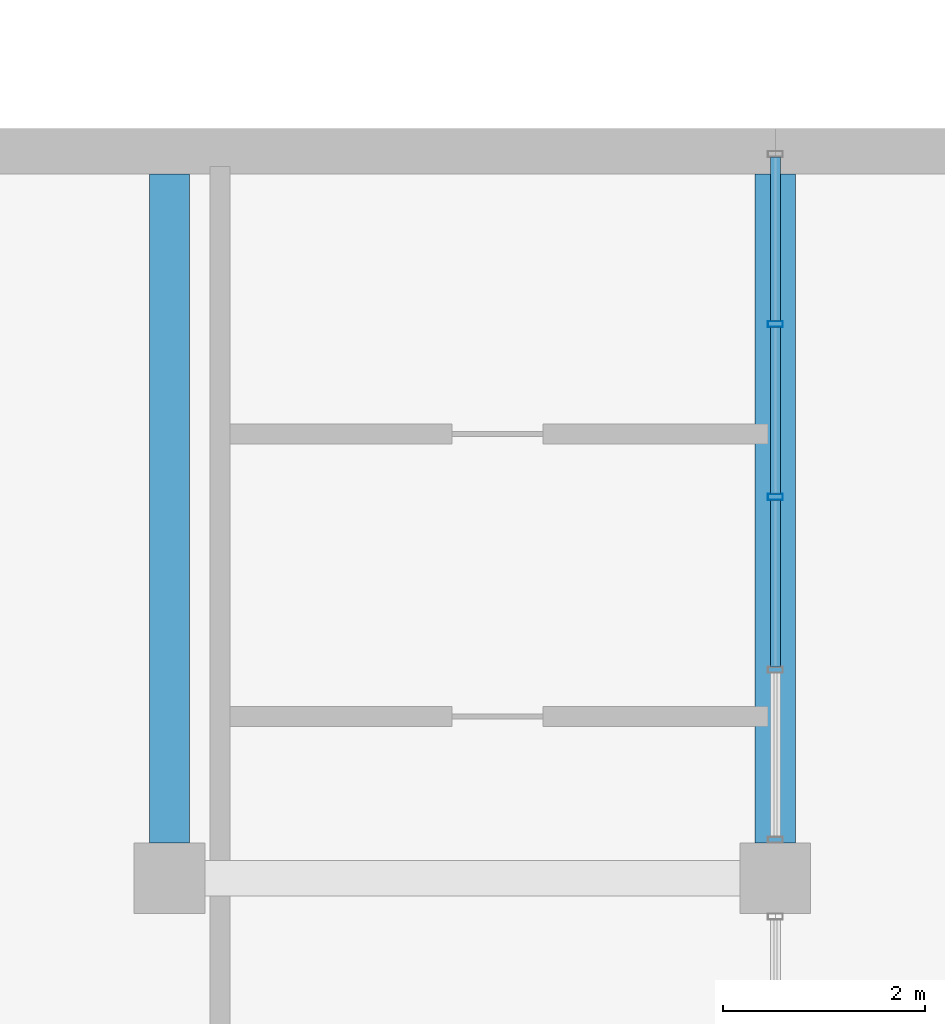
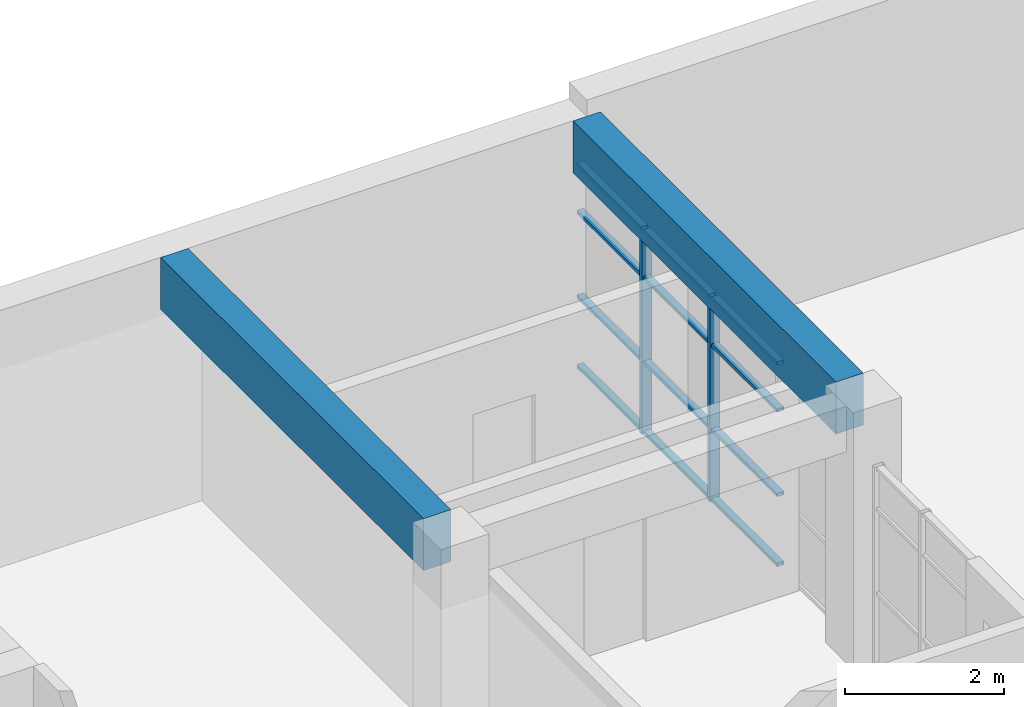
# One storey, part 37 of 103: 14 members, 2 beams, 1 element without a shape of its own.
"""IFC4 building model written with IfcOpenShell, lengths in metres."""

from ifc_helpers import new_model, si_unit, direction, frame, origin, origin_2d, place, context, subcontext, project, spatial, rectangle, hollow_rectangle, extrude, material, material_profile, profile_set, type_object, element, aggregate, save


model = new_model("IFC4")

# Units and contexts
model_context = context("Model", 3, precision=1e-05, world=origin(), true_north=direction((0.0, 1.0)))
body_context = subcontext(model_context, "Body", "Model", "MODEL_VIEW")
ifc_project = project(units=[si_unit("LENGTHUNIT", "METRE"), si_unit("AREAUNIT", "SQUARE_METRE"), si_unit("VOLUMEUNIT", "CUBIC_METRE"), si_unit("PLANEANGLEUNIT", "RADIAN"), si_unit("MASSUNIT", "GRAM", prefix="KILO")], contexts=[model_context])

# Site, building, storey
site_placement = place(None, origin())
site = spatial("IfcSite", under=ifc_project, at=site_placement, CompositionType="ELEMENT")
building_placement = place(site_placement, origin())
building = spatial("IfcBuilding", under=site, at=building_placement, Name="Laocheng Heights Fire and Rescue Headquarters", CompositionType="ELEMENT")
storey_placement = place(building_placement, frame((0.0, 0.0, 4.199951171875)))
storey = spatial("IfcBuildingStorey", under=building, at=storey_placement, Name="L01", CompositionType="ELEMENT", Elevation=4.199951171875)

# Curtain wall, members
ifc_material_1 = material(Name="Dark anodised aluminium unitised curtain wall, low-e double glazing", Category="aluminium")
curtain_wall_type = type_object("IfcCurtainWallType", Name="CW 6850 x 3150 CREW COURT GLAZING", PredefinedType="NOTDEFINED", material=ifc_material_1)
curtain_wall_placement = place(storey_placement, origin())
curtain_wall = element("IfcCurtainWall", 1, at=curtain_wall_placement, inside=storey, type_object=curtain_wall_type, Name="X8-W CREW EAST L01", PredefinedType="NOTDEFINED")
ifc_material_2 = material(Name="Dark anodised aluminium 6063-T5 extrusion", Category="aluminium")
ifc_material_profile_1 = material_profile(ifc_material_2, hollow_rectangle(XDim=0.14990234375, YDim=0.06005859375, WallThickness=0.0029296875, at=origin_2d()), Name="AL MULLION 150x60x3 CREW COURT GLAZING")
ifc_profile_set_1 = profile_set([ifc_material_profile_1], Name="Dark anodised aluminium 6063-T5 extrusion")
member_type_1 = type_object("IfcMemberType", Name="AL MULLION 150x60x3 CREW COURT GLAZING", PredefinedType="MULLION", material=ifc_profile_set_1)
member_1_placement = place(storey_placement, frame((108.0, 54.175048828125, 0.0), z_axis=(0.0, 0.0, 1.0), x_axis=(-1.0, 0.0, 0.0)))
member_1 = element("IfcMember", 2, at=member_1_placement, type_object=member_type_1, Name="X8-W mullion 3", PredefinedType="MULLION", context=body_context, shape_type="SweptSolid", body=[
    extrude(hollow_rectangle(XDim=0.14990234375, YDim=0.06005859375, WallThickness=0.0029296875, at=origin_2d()), origin(), (0.0, 0.0, 1.0), 3.150146484375),
])
member_2_placement = place(storey_placement, frame((108.0, 55.887451171875, 0.0), z_axis=(0.0, 0.0, 1.0), x_axis=(-1.0, 0.0, 0.0)))
member_2 = element("IfcMember", 3, at=member_2_placement, type_object=member_type_1, Name="X8-W mullion 4", PredefinedType="MULLION", context=body_context, shape_type="SweptSolid", body=[
    extrude(hollow_rectangle(XDim=0.14990234375, YDim=0.06005859375, WallThickness=0.0029296875, at=origin_2d()), origin(), (0.0, 0.0, 1.0), 3.150146484375),
])
ifc_material_3 = material(Name="Dark anodised aluminium 6063-T5 extrusion", Category="aluminium")
ifc_material_profile_2 = material_profile(ifc_material_3, hollow_rectangle(XDim=0.10009765625, YDim=0.050048828125, WallThickness=0.0029296875, at=origin_2d()), Name="AL TRANSOM 100x50x3 CREW COURT GLAZING")
ifc_profile_set_2 = profile_set([ifc_material_profile_2], Name="Dark anodised aluminium 6063-T5 extrusion")
member_type_2 = type_object("IfcMemberType", Name="AL TRANSOM 100x50x3 CREW COURT GLAZING", PredefinedType="USERDEFINED", material=ifc_profile_set_2)
member_3_placement = place(storey_placement, frame((108.0, 52.492431640625, 0.025146484375), z_axis=(0.0, 1.0, 0.0), x_axis=(-1.0, 0.0, 0.0)))
member_3 = element("IfcMember", 4, at=member_3_placement, type_object=member_type_2, Name="X8-W transom 2.1", ObjectType="TRANSOM", PredefinedType="USERDEFINED", context=body_context, shape_type="SweptSolid", body=[
    extrude(hollow_rectangle(XDim=0.10009765625, YDim=0.050048828125, WallThickness=0.0029296875, at=origin_2d()), origin(), (0.0, 0.0, 1.0), 1.652587890625),
])
member_4_placement = place(storey_placement, frame((108.0, 52.492431640625, 1.10009765625), z_axis=(0.0, 1.0, 0.0), x_axis=(-1.0, 0.0, 0.0)))
member_4 = element("IfcMember", 5, at=member_4_placement, type_object=member_type_2, Name="X8-W transom 2.2", ObjectType="TRANSOM", PredefinedType="USERDEFINED", context=body_context, shape_type="SweptSolid", body=[
    extrude(hollow_rectangle(XDim=0.10009765625, YDim=0.050048828125, WallThickness=0.0029296875, at=origin_2d()), origin(), (0.0, 0.0, 1.0), 1.652587890625),
])
member_5_placement = place(storey_placement, frame((108.0, 52.492431640625, 2.400146484375), z_axis=(0.0, 1.0, 0.0), x_axis=(-1.0, 0.0, 0.0)))
member_5 = element("IfcMember", 6, at=member_5_placement, type_object=member_type_2, Name="X8-W transom 2.3", ObjectType="TRANSOM", PredefinedType="USERDEFINED", context=body_context, shape_type="SweptSolid", body=[
    extrude(hollow_rectangle(XDim=0.10009765625, YDim=0.050048828125, WallThickness=0.0029296875, at=origin_2d()), origin(), (0.0, 0.0, 1.0), 1.652587890625),
])
member_6_placement = place(storey_placement, frame((108.0, 52.492431640625, 3.125), z_axis=(0.0, 1.0, 0.0), x_axis=(-1.0, 0.0, 0.0)))
member_6 = element("IfcMember", 7, at=member_6_placement, type_object=member_type_2, Name="X8-W transom 2.4", ObjectType="TRANSOM", PredefinedType="USERDEFINED", context=body_context, shape_type="SweptSolid", body=[
    extrude(hollow_rectangle(XDim=0.10009765625, YDim=0.050048828125, WallThickness=0.0029296875, at=origin_2d()), origin(), (0.0, 0.0, 1.0), 1.652587890625),
])
member_7_placement = place(storey_placement, frame((108.0, 54.205078125, 0.025146484375), z_axis=(0.0, 1.0, 0.0), x_axis=(-1.0, 0.0, 0.0)))
member_7 = element("IfcMember", 8, at=member_7_placement, type_object=member_type_2, Name="X8-W transom 3.1", ObjectType="TRANSOM", PredefinedType="USERDEFINED", context=body_context, shape_type="SweptSolid", body=[
    extrude(hollow_rectangle(XDim=0.10009765625, YDim=0.050048828125, WallThickness=0.0029296875, at=origin_2d()), origin(), (0.0, 0.0, 1.0), 1.65234375),
])
member_8_placement = place(storey_placement, frame((108.0, 54.205078125, 1.10009765625), z_axis=(0.0, 1.0, 0.0), x_axis=(-1.0, 0.0, 0.0)))
member_8 = element("IfcMember", 9, at=member_8_placement, type_object=member_type_2, Name="X8-W transom 3.2", ObjectType="TRANSOM", PredefinedType="USERDEFINED", context=body_context, shape_type="SweptSolid", body=[
    extrude(hollow_rectangle(XDim=0.10009765625, YDim=0.050048828125, WallThickness=0.0029296875, at=origin_2d()), origin(), (0.0, 0.0, 1.0), 1.65234375),
])
member_9_placement = place(storey_placement, frame((108.0, 54.205078125, 2.400146484375), z_axis=(0.0, 1.0, 0.0), x_axis=(-1.0, 0.0, 0.0)))
member_9 = element("IfcMember", 10, at=member_9_placement, type_object=member_type_2, Name="X8-W transom 3.3", ObjectType="TRANSOM", PredefinedType="USERDEFINED", context=body_context, shape_type="SweptSolid", body=[
    extrude(hollow_rectangle(XDim=0.10009765625, YDim=0.050048828125, WallThickness=0.0029296875, at=origin_2d()), origin(), (0.0, 0.0, 1.0), 1.65234375),
])
member_10_placement = place(storey_placement, frame((108.0, 54.205078125, 3.125), z_axis=(0.0, 1.0, 0.0), x_axis=(-1.0, 0.0, 0.0)))
member_10 = element("IfcMember", 11, at=member_10_placement, type_object=member_type_2, Name="X8-W transom 3.4", ObjectType="TRANSOM", PredefinedType="USERDEFINED", context=body_context, shape_type="SweptSolid", body=[
    extrude(hollow_rectangle(XDim=0.10009765625, YDim=0.050048828125, WallThickness=0.0029296875, at=origin_2d()), origin(), (0.0, 0.0, 1.0), 1.65234375),
])
member_11_placement = place(storey_placement, frame((108.0, 55.91748046875, 0.025146484375), z_axis=(0.0, 1.0, 0.0), x_axis=(-1.0, 0.0, 0.0)))
member_11 = element("IfcMember", 12, at=member_11_placement, type_object=member_type_2, Name="X8-W transom 4.1", ObjectType="TRANSOM", PredefinedType="USERDEFINED", context=body_context, shape_type="SweptSolid", body=[
    extrude(hollow_rectangle(XDim=0.10009765625, YDim=0.050048828125, WallThickness=0.0029296875, at=origin_2d()), origin(), (0.0, 0.0, 1.0), 1.62255859375),
])
member_12_placement = place(storey_placement, frame((108.0, 55.91748046875, 1.10009765625), z_axis=(0.0, 1.0, 0.0), x_axis=(-1.0, 0.0, 0.0)))
member_12 = element("IfcMember", 13, at=member_12_placement, type_object=member_type_2, Name="X8-W transom 4.2", ObjectType="TRANSOM", PredefinedType="USERDEFINED", context=body_context, shape_type="SweptSolid", body=[
    extrude(hollow_rectangle(XDim=0.10009765625, YDim=0.050048828125, WallThickness=0.0029296875, at=origin_2d()), origin(), (0.0, 0.0, 1.0), 1.62255859375),
])
member_13_placement = place(storey_placement, frame((108.0, 55.91748046875, 2.400146484375), z_axis=(0.0, 1.0, 0.0), x_axis=(-1.0, 0.0, 0.0)))
member_13 = element("IfcMember", 14, at=member_13_placement, type_object=member_type_2, Name="X8-W transom 4.3", ObjectType="TRANSOM", PredefinedType="USERDEFINED", context=body_context, shape_type="SweptSolid", body=[
    extrude(hollow_rectangle(XDim=0.10009765625, YDim=0.050048828125, WallThickness=0.0029296875, at=origin_2d()), origin(), (0.0, 0.0, 1.0), 1.62255859375),
])
member_14_placement = place(storey_placement, frame((108.0, 55.91748046875, 3.125), z_axis=(0.0, 1.0, 0.0), x_axis=(-1.0, 0.0, 0.0)))
member_14 = element("IfcMember", 15, at=member_14_placement, type_object=member_type_2, Name="X8-W transom 4.4", ObjectType="TRANSOM", PredefinedType="USERDEFINED", context=body_context, shape_type="SweptSolid", body=[
    extrude(hollow_rectangle(XDim=0.10009765625, YDim=0.050048828125, WallThickness=0.0029296875, at=origin_2d()), origin(), (0.0, 0.0, 1.0), 1.62255859375),
])
aggregate(curtain_wall, [member_1, member_2, member_3, member_4, member_5, member_6, member_7, member_8, member_9, member_10, member_11, member_12, member_13, member_14])

# Beams
ifc_material_4 = material(Name="Concrete C40", Category="concrete")
ifc_material_profile_3 = material_profile(ifc_material_4, rectangle(XDim=0.39990234375, YDim=0.800048828125, at=origin_2d()), Name="RC BEAM 400x800 CREW")
ifc_profile_set_3 = profile_set([ifc_material_profile_3], Name="Concrete C40")
beam_type = type_object("IfcBeamType", Name="RC BEAM 400x800 CREW", PredefinedType="BEAM", material=ifc_profile_set_3)
for number, where, z_axis, x_axis, name in (
    (16, (102.0, 50.75, 3.550048828125), (0.0, 1.0, 0.0), (-1.0, 0.0, 0.0), "Crew beam L01"),
    (17, (108.0, 50.75, 3.550048828125), (0.0, 1.0, 0.0), (-1.0, 0.0, 0.0), "Crew beam L01"),
):
    element("IfcBeam", number, at=place(storey_placement, frame(where, z_axis=z_axis, x_axis=x_axis)), inside=storey, type_object=beam_type, Name=name, PredefinedType="BEAM", context=body_context, shape_type="SweptSolid", body=[
        extrude(rectangle(XDim=0.39990234375, YDim=0.800048828125, at=origin_2d()), origin(), (0.0, 0.0, 1.0), 6.625),
    ])

save(model, "model.ifc")
